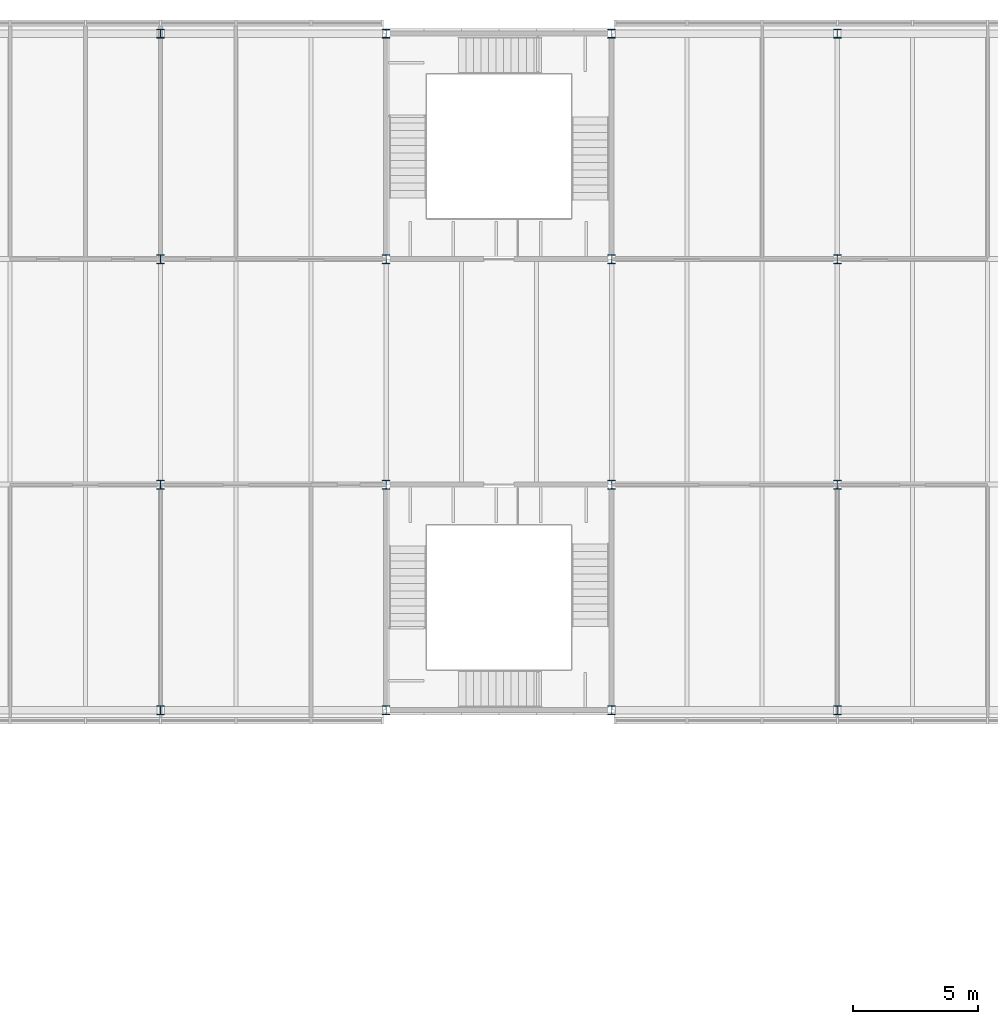
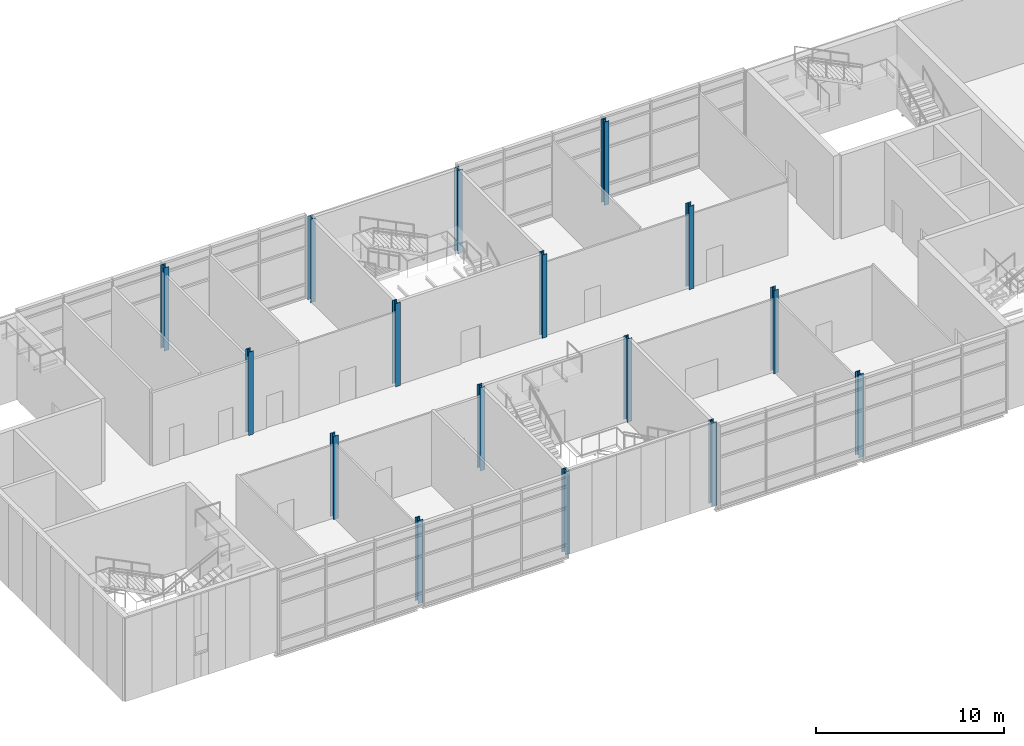
# One storey, part 3 of 52: 16 columns.
"""IFC4 building model written with IfcOpenShell, lengths in metres."""

from ifc_helpers import new_model, si_unit, direction, frame, origin, origin_2d, place, context, subcontext, project, spatial, i_section, extrude, material, material_profile, profile_set, type_object, element, save


model = new_model("IFC4")

# Units and contexts
model_context = context("Model", 3, precision=1e-05, world=origin(), true_north=direction((0.0, 1.0)))
body_context = subcontext(model_context, "Body", "Model", "MODEL_VIEW")
ifc_project = project(units=[si_unit("LENGTHUNIT", "METRE"), si_unit("AREAUNIT", "SQUARE_METRE"), si_unit("VOLUMEUNIT", "CUBIC_METRE"), si_unit("PLANEANGLEUNIT", "RADIAN"), si_unit("MASSUNIT", "GRAM", prefix="KILO")], contexts=[model_context])

# Site, building, storey
site_placement = place(None, origin())
site = spatial("IfcSite", under=ifc_project, at=site_placement, CompositionType="ELEMENT")
building_placement = place(site_placement, origin())
building = spatial("IfcBuilding", under=site, at=building_placement, Name="Azimuth Sports and Learning Centre", CompositionType="ELEMENT")
storey_placement = place(building_placement, frame((0.0, 0.0, 16.199951171875)))
storey = spatial("IfcBuildingStorey", under=building, at=storey_placement, Name="L03", CompositionType="ELEMENT", Elevation=16.199951171875)

# Columns
ifc_material = material(Name="Steel S355", Category="steel")
ifc_material_profile = material_profile(ifc_material, i_section(OverallWidth=0.300048828125, OverallDepth=0.360107421875, WebThickness=0.012451171875, FlangeThickness=0.0224609375, FilletRadius=0.027099609375, at=origin_2d()), Name="HEB 360")
ifc_profile_set = profile_set([ifc_material_profile], Name="Steel S355")
column_type = type_object("IfcColumnType", Name="Column HEB 360", PredefinedType="COLUMN", material=ifc_profile_set)
for number, where, z_axis, x_axis, name in (
    (1, (18.0, 90.0, 0.0), (0.0, 0.0, 1.0), (1.0, 0.0, 0.0), "Column 3L L03"),
    (2, (27.0, 90.0, 0.0), (0.0, 0.0, 1.0), (1.0, 0.0, 0.0), "Column 4L L03"),
    (3, (36.0, 90.0, 0.0), (0.0, 0.0, 1.0), (1.0, 0.0, 0.0), "Column 5L L03"),
    (4, (45.0, 90.0, 0.0), (0.0, 0.0, 1.0), (1.0, 0.0, 0.0), "Column 6L L03"),
    (5, (18.0, 99.0, 0.0), (0.0, 0.0, 1.0), (1.0, 0.0, 0.0), "Column 3M L03"),
    (6, (27.0, 99.0, 0.0), (0.0, 0.0, 1.0), (1.0, 0.0, 0.0), "Column 4M L03"),
    (7, (36.0, 99.0, 0.0), (0.0, 0.0, 1.0), (1.0, 0.0, 0.0), "Column 5M L03"),
    (8, (45.0, 99.0, 0.0), (0.0, 0.0, 1.0), (1.0, 0.0, 0.0), "Column 6M L03"),
    (9, (18.0, 108.0, 0.0), (0.0, 0.0, 1.0), (1.0, 0.0, 0.0), "Column 3N L03"),
    (10, (27.0, 108.0, 0.0), (0.0, 0.0, 1.0), (1.0, 0.0, 0.0), "Column 4N L03"),
    (11, (36.0, 108.0, 0.0), (0.0, 0.0, 1.0), (1.0, 0.0, 0.0), "Column 5N L03"),
    (12, (45.0, 108.0, 0.0), (0.0, 0.0, 1.0), (1.0, 0.0, 0.0), "Column 6N L03"),
    (13, (18.0, 117.0, 0.0), (0.0, 0.0, 1.0), (1.0, 0.0, 0.0), "Column 3P L03"),
    (14, (27.0, 117.0, 0.0), (0.0, 0.0, 1.0), (1.0, 0.0, 0.0), "Column 4P L03"),
    (15, (36.0, 117.0, 0.0), (0.0, 0.0, 1.0), (1.0, 0.0, 0.0), "Column 5P L03"),
    (16, (45.0, 117.0, 0.0), (0.0, 0.0, 1.0), (1.0, 0.0, 0.0), "Column 6P L03"),
):
    element("IfcColumn", number, at=place(storey_placement, frame(where, z_axis=z_axis, x_axis=x_axis)), inside=storey, type_object=column_type, Name=name, PredefinedType="COLUMN", context=body_context, shape_type="SweptSolid", body=[
        extrude(i_section(OverallWidth=0.300048828125, OverallDepth=0.360107421875, WebThickness=0.012451171875, FlangeThickness=0.0224609375, FilletRadius=0.027099609375, at=origin_2d()), origin(), (0.0, 0.0, 1.0), 5.400146484375),
    ])

save(model, "model.ifc")
